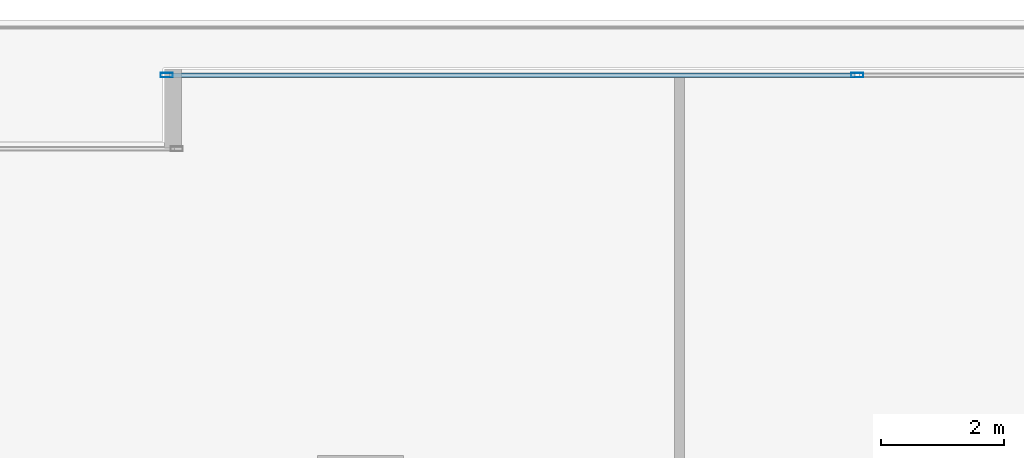
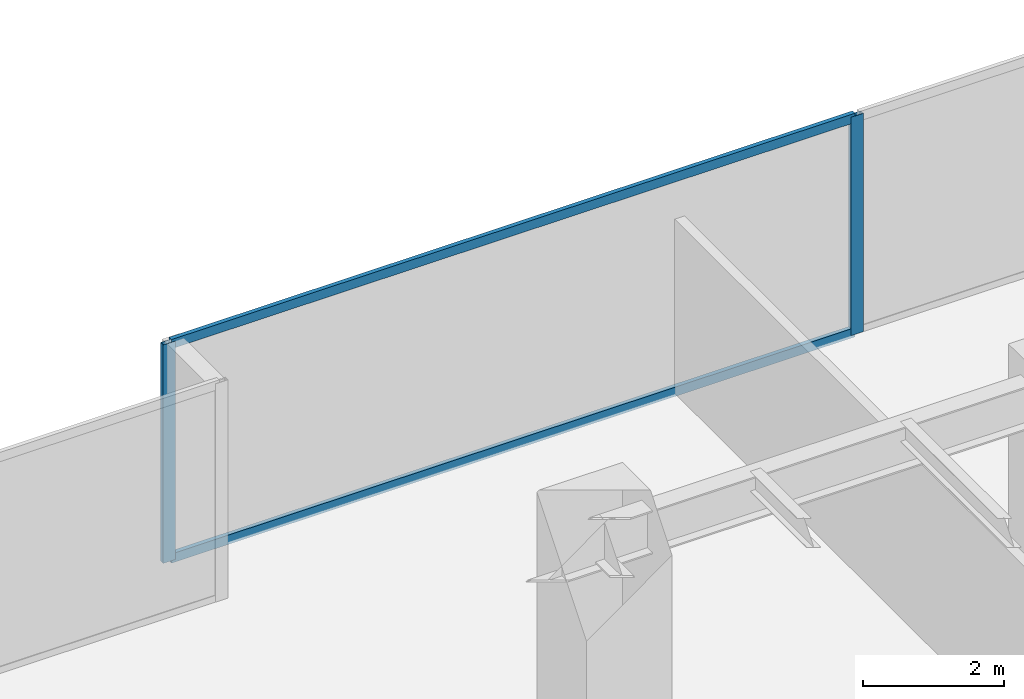
# One storey, part 22 of 36: 4 members, 1 element without a shape of its own.
"""IFC4 building model written with IfcOpenShell, lengths in metres."""

from ifc_helpers import new_model, si_unit, direction, frame, origin, origin_2d, place, context, subcontext, project, spatial, hollow_rectangle, extrude, source, transform, mapped, material, layer, layer_set, material_profile, profile_set, type_object, type_shapes, element, aggregate, save


model = new_model("IFC4")

# Units and contexts
model_context = context("Model", 3, precision=1e-05, world=origin(), true_north=direction((0.0, 1.0)))
body_context = subcontext(model_context, "Body", "Model", "MODEL_VIEW")
ifc_project = project(units=[si_unit("LENGTHUNIT", "METRE"), si_unit("AREAUNIT", "SQUARE_METRE"), si_unit("VOLUMEUNIT", "CUBIC_METRE"), si_unit("PLANEANGLEUNIT", "RADIAN"), si_unit("MASSUNIT", "GRAM", prefix="KILO")], contexts=[model_context])

# Site, building, storey
site_placement = place(None, origin())
site = spatial("IfcSite", under=ifc_project, at=site_placement, CompositionType="ELEMENT")
building_placement = place(site_placement, origin())
building = spatial("IfcBuilding", under=site, at=building_placement, Name="Haelvirn Gate Laboratories", CompositionType="ELEMENT")
storey_placement = place(building_placement, frame((0.0, 0.0, 25.199951171875)))
storey = spatial("IfcBuildingStorey", under=building, at=storey_placement, Name="L06", CompositionType="ELEMENT", Elevation=25.199951171875)

# Curtain wall, members
ifc_material_1 = material(Name="Anodised bronze unitised aluminium & triple low-E glass", Category="aluminium")
ifc_layer = layer(ifc_material_1, 0.18408203125, Name="CW-SYS-2")
ifc_layer_set = layer_set([ifc_layer], Name="Anodised bronze unitised aluminium & triple low-E glass")
curtain_wall_type = type_object("IfcCurtainWallType", Name="CW-SYS-2", PredefinedType="NOTDEFINED", material=ifc_layer_set)
curtain_wall_placement = place(storey_placement, origin())
curtain_wall = element("IfcCurtainWall", 1, at=curtain_wall_placement, inside=storey, type_object=curtain_wall_type, Name="L06 Unitised Curtain Wall CW-L06-P0-E10-1", PredefinedType="NOTDEFINED")
ifc_material_2 = material(Name="Extruded aluminium 6063-T6 (anodised bronze)", Category="aluminium")
ifc_material_profile_1 = material_profile(ifc_material_2, hollow_rectangle(XDim=0.074951171875, YDim=0.199951171875, WallThickness=0.0048828125, at=origin_2d()), Name="CWM-200x75x5")
ifc_profile_set_1 = profile_set([ifc_material_profile_1], Name="Extruded aluminium 6063-T6 (anodised bronze)")
member_type_1 = type_object("IfcMemberType", Name="CWM-T200", PredefinedType="MULLION", material=ifc_profile_set_1)
shared_shape_1 = source(origin(), body_context, "Body", "SweptSolid", [
    extrude(hollow_rectangle(XDim=0.074951171875, YDim=0.199951171875, WallThickness=0.0048828125, at=origin_2d()), origin(), (0.0, 0.0, 1.0), 3.780029296875),
])
type_shapes(member_type_1, [shared_shape_1])
member_1_placement = place(storey_placement, frame((49.4375, 48.5, 0.0), z_axis=(0.0, 0.0, 1.0), x_axis=(0.0, 1.0, 0.0)))
member_1 = element("IfcMember", 2, at=member_1_placement, type_object=member_type_1, Name="CW2 mullion 1", PredefinedType="MULLION", context=body_context, shape_type="MappedRepresentation", body=[
    mapped(shared_shape_1, transform((0.0, 0.0, 0.0), scale=1.0)),
])
member_2_placement = place(storey_placement, frame((60.699951171875, 48.5, 0.0), z_axis=(0.0, 0.0, 1.0), x_axis=(0.0, 1.0, 0.0)))
member_2 = element("IfcMember", 3, at=member_2_placement, type_object=member_type_1, Name="CW2 mullion 2", PredefinedType="MULLION", context=body_context, shape_type="MappedRepresentation", body=[
    mapped(shared_shape_1, transform((0.0, 0.0, 0.0), scale=1.0)),
])
ifc_material_profile_2 = material_profile(ifc_material_2, hollow_rectangle(XDim=0.070068359375, YDim=0.159912109375, WallThickness=0.0048828125, at=origin_2d()), Name="CWT-160x70x5")
ifc_profile_set_2 = profile_set([ifc_material_profile_2], Name="Extruded aluminium 6063-T6 (anodised bronze)")
member_type_2 = type_object("IfcMemberType", Name="CWT-T160", PredefinedType="USERDEFINED", material=ifc_profile_set_2)
shared_shape_2 = source(origin(), body_context, "Body", "SweptSolid", [
    extrude(hollow_rectangle(XDim=0.070068359375, YDim=0.159912109375, WallThickness=0.0048828125, at=origin_2d()), origin(), (0.0, 0.0, 1.0), 11.1875),
])
type_shapes(member_type_2, [shared_shape_2])
member_3_placement = place(storey_placement, frame((49.47509765625, 48.5, 0.03515625), z_axis=(1.0, 0.0, 0.0), x_axis=(0.0, 1.0, 0.0)))
member_3 = element("IfcMember", 4, at=member_3_placement, type_object=member_type_2, Name="CW2 transom 1.1", ObjectType="TRANSOM", PredefinedType="USERDEFINED", context=body_context, shape_type="MappedRepresentation", body=[
    mapped(shared_shape_2, transform((0.0, 0.0, 0.0), scale=1.0)),
])
member_4_placement = place(storey_placement, frame((49.47509765625, 48.5, 3.7451171875), z_axis=(1.0, 0.0, 0.0), x_axis=(0.0, 1.0, 0.0)))
member_4 = element("IfcMember", 5, at=member_4_placement, type_object=member_type_2, Name="CW2 transom 1.2", ObjectType="TRANSOM", PredefinedType="USERDEFINED", context=body_context, shape_type="MappedRepresentation", body=[
    mapped(shared_shape_2, transform((0.0, 0.0, 0.0), scale=1.0)),
])
aggregate(curtain_wall, [member_1, member_2, member_3, member_4])

save(model, "model.ifc")
